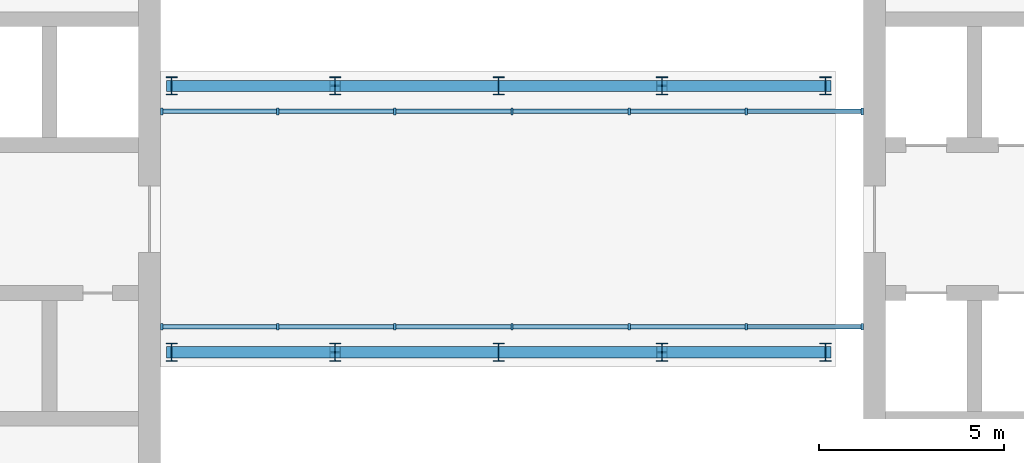
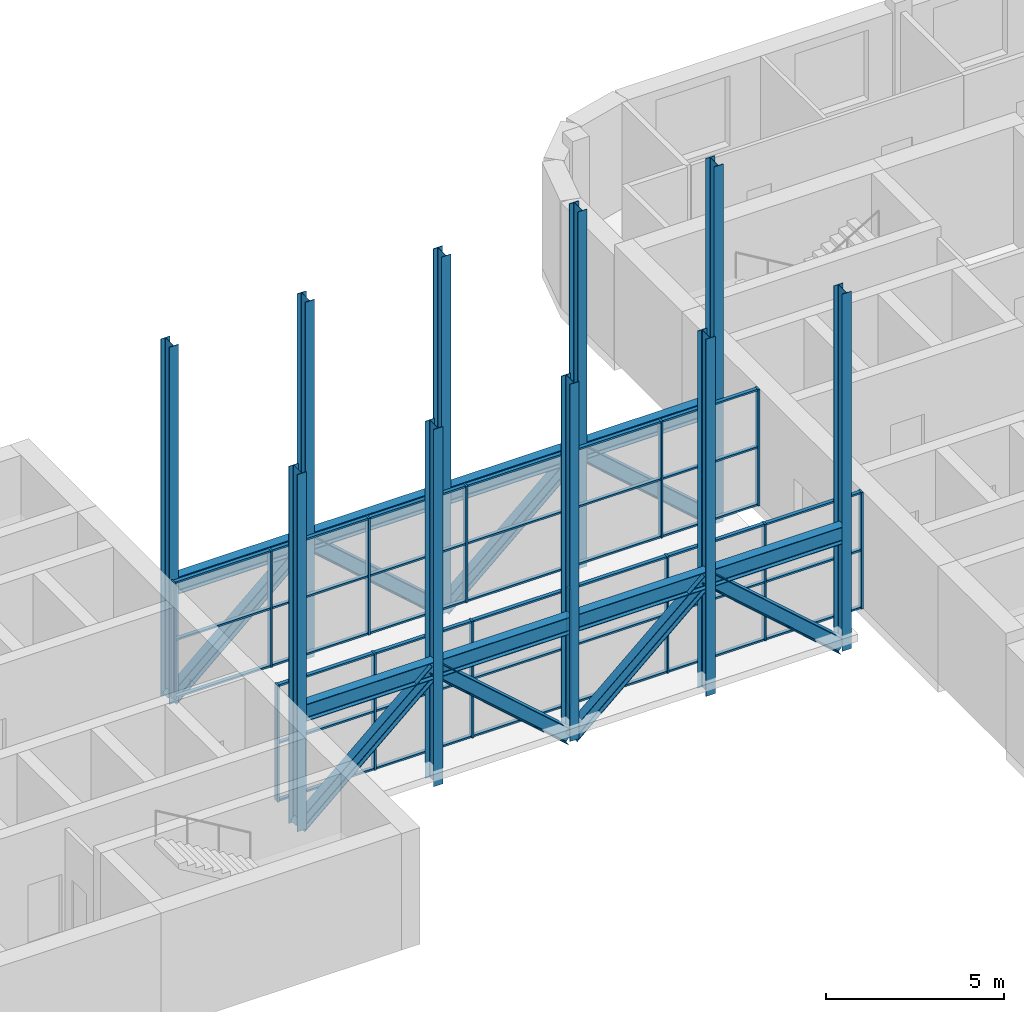
# One storey, part 2 of 11: 76 members, 2 elements without a shape of their own.
"""IFC4 building model written with IfcOpenShell, lengths in metres."""

import ifcopenshell
import ifcopenshell.guid

model = None  # the IFC model being written
_history = None  # IfcOwnerHistory: only IFC2X3 demands one
_inside = {}  # id of a spatial element -> (the spatial element, [elements in it])
_under = {}  # id of a project, library or spatial element -> (it, [spatial elements below it])
_declared = {}  # id of a project -> (the project, [libraries it declares])
_typed = {}  # id of a type object -> (the type object, [elements of that type])
_made_of = {}  # id of a material, layer set ... -> (it, [elements and type objects made of it])


def new_model(schema):
    """Start an empty IFC model of exactly this schema.

    Asked for "IFC4X3", IfcOpenShell would pick the latest addendum, in which some entities
    have other attributes; the version numbers below select the first issue.
    IFC2X3 requires an IfcOwnerHistory on every rooted entity: one is made here for all.
    """
    global model, _history
    if schema == "IFC4X3":
        model = ifcopenshell.file(schema_version=(4, 3, 0, 0))
    else:
        model = ifcopenshell.file(schema=schema)
    _inside.clear()
    _under.clear()
    _declared.clear()
    _typed.clear()
    _made_of.clear()
    _history = None
    if model.schema == "IFC2X3":
        org = make("IfcOrganization", Name="unknown")
        user = make(
            "IfcPersonAndOrganization",
            ThePerson=make("IfcPerson", FamilyName="unknown"),
            TheOrganization=org,
        )
        app = make(
            "IfcApplication",
            ApplicationDeveloper=org,
            Version="unknown",
            ApplicationFullName="unknown",
            ApplicationIdentifier="unknown",
        )
        _history = make(
            "IfcOwnerHistory",
            OwningUser=user,
            OwningApplication=app,
            ChangeAction="ADDED",
            CreationDate=0,
        )
    return model


def make(cls, **values):
    """One entity of the class cls with the attributes given. An attribute that is None is left unset."""
    return model.create_entity(
        cls, **{name: value for name, value in values.items() if value is not None}
    )


def rooted(cls, **values):
    """An entity with a GlobalId (a new one), such as an element, a storey or a relation."""
    return make(cls, GlobalId=ifcopenshell.guid.new(), OwnerHistory=_history, **values)


def si_unit(unit_type, name, prefix=None):
    """IfcSIUnit, for example si_unit("LENGTHUNIT", "METRE", prefix="MILLI")."""
    return make("IfcSIUnit", UnitType=unit_type, Prefix=prefix, Name=name)


def assignment(units):
    """IfcUnitAssignment: the units of a project."""
    return None if units is None else make("IfcUnitAssignment", Units=units)


def point(xyz):
    """IfcCartesianPoint."""
    return None if xyz is None else make("IfcCartesianPoint", Coordinates=xyz)


def direction(xyz):
    """IfcDirection."""
    return None if xyz is None else make("IfcDirection", DirectionRatios=xyz)


def frame(location, z_axis=None, x_axis=None):
    """IfcAxis2Placement3D, a coordinate frame: its origin and axes. An axis left out is left unset."""
    return make(
        "IfcAxis2Placement3D",
        Location=point(location),
        Axis=direction(z_axis),
        RefDirection=direction(x_axis),
    )


def frame_2d(location, x_axis=None):
    """IfcAxis2Placement2D, a coordinate frame in the plane: its origin and x axis."""
    return make(
        "IfcAxis2Placement2D", Location=point(location), RefDirection=direction(x_axis)
    )


def origin():
    """The frame at (0, 0, 0) with its axes left unset."""
    return frame((0.0, 0.0, 0.0))


def origin_2d():
    """The frame at (0, 0) in the plane with its x axis left unset."""
    return frame_2d((0.0, 0.0))


def place(relative_to, where):
    """IfcLocalPlacement: puts the frame where relative to a parent placement (None: the world)."""
    return make(
        "IfcLocalPlacement", PlacementRelTo=relative_to, RelativePlacement=where
    )


def context(
    kind, dimensions, precision=None, world=None, true_north=None, identifier=None
):
    """IfcGeometricRepresentationContext, for example the 3D "Model" context."""
    return make(
        "IfcGeometricRepresentationContext",
        ContextIdentifier=identifier,
        ContextType=kind,
        CoordinateSpaceDimension=dimensions,
        Precision=precision,
        WorldCoordinateSystem=world,
        TrueNorth=true_north,
    )


def subcontext(parent, identifier, kind, view, scale=None):
    """IfcGeometricRepresentationSubContext, for example "Body" below "Model"."""
    return make(
        "IfcGeometricRepresentationSubContext",
        ContextIdentifier=identifier,
        ContextType=kind,
        ParentContext=parent,
        TargetScale=scale,
        TargetView=view,
    )


def project(units=None, contexts=None):
    """IfcProject with its units and contexts."""
    return rooted(
        "IfcProject",
        Name="project",
        RepresentationContexts=contexts,
        UnitsInContext=assignment(units),
    )


def spatial(cls, under=None, at=None, **own):
    """A site, building, storey or space (cls), placed at a placement, below another one or the project."""
    s = rooted(cls, ObjectPlacement=at, **own)
    if under is not None:
        _under.setdefault(under.id(), (under, []))[1].append(s)
    return s


def profile(cls, at=None, kind="AREA", **sizes):
    """A parametric profile (cls). Its sizes go by their IFC names, for example OverallWidth=200.0."""
    return make(cls, ProfileType=kind, Position=at, **sizes)


def rectangle(**sizes):
    """IfcRectangleProfileDef."""
    return profile("IfcRectangleProfileDef", **sizes)


def i_section(**sizes):
    """IfcIShapeProfileDef."""
    return profile("IfcIShapeProfileDef", **sizes)


def extrude(swept, where, along, depth):
    """IfcExtrudedAreaSolid: the profile swept, set in the frame where, extruded along a direction by depth."""
    return make(
        "IfcExtrudedAreaSolid",
        SweptArea=swept,
        Position=where,
        ExtrudedDirection=direction(along),
        Depth=depth,
    )


def shape(context_of_items, identifier, shape_type, items):
    """IfcShapeRepresentation: the items that make up one representation, for example the "Body"."""
    return make(
        "IfcShapeRepresentation",
        ContextOfItems=context_of_items,
        RepresentationIdentifier=identifier,
        RepresentationType=shape_type,
        Items=items,
    )


def material(Name=None, Category=None):
    """IfcMaterial."""
    return make("IfcMaterial", Name=Name, Category=Category)


def material_profile(
    of_material, cross_section, Name=None, Category=None, Priority=None
):
    """IfcMaterialProfile: a cross section and its material."""
    return make(
        "IfcMaterialProfile",
        Name=Name,
        Material=of_material,
        Profile=cross_section,
        Priority=Priority,
        Category=Category,
    )


def profile_set(profiles, Name=None, composite=None):
    """IfcMaterialProfileSet."""
    return make(
        "IfcMaterialProfileSet",
        Name=Name,
        MaterialProfiles=profiles,
        CompositeProfile=composite,
    )


def made_of(thing, what):
    """Note that an element or type object is made of a material, layer set ...; save() writes the relation."""
    if what is not None:
        _made_of.setdefault(what.id(), (what, []))[1].append(thing)
    return thing


def type_object(cls, material=None, **own):
    """A type object (cls), such as IfcWallType, which elements share."""
    return made_of(rooted(cls, **own), material)


def element(
    cls,
    number,
    at=None,
    inside=None,
    cuts=None,
    type_object=None,
    material=None,
    context=None,
    identifier="Body",
    shape_type=None,
    held_by="IfcProductDefinitionShape",
    body=None,
    shapes=None,
    **own,
):
    """One element of the class cls, such as IfcWall. Its Tag is "e" and its number.

    at: its placement. inside: the storey or other place that contains it. cuts: it is an
    opening in that element (IfcRelVoidsElement). A single representation is given by context,
    identifier, shape_type and body (its items); several are given by shapes. held_by: the class
    of the entity that holds the representations. save() writes the other relations.
    """
    e = rooted(cls, Tag="e%d" % number, ObjectPlacement=at, **own)
    if body is not None:
        shapes = [shape(context, identifier, shape_type, body)]
    if shapes is not None:
        e.Representation = make(held_by, Representations=shapes)
    if inside is not None:
        _inside.setdefault(inside.id(), (inside, []))[1].append(e)
    if cuts is not None:
        rooted(
            "IfcRelVoidsElement", RelatingBuildingElement=cuts, RelatedOpeningElement=e
        )
    if type_object is not None:
        _typed.setdefault(type_object.id(), (type_object, []))[1].append(e)
    return made_of(e, material)


def aggregate(whole, parts):
    """IfcRelAggregates: a whole, such as a stair, and the parts it consists of."""
    return rooted("IfcRelAggregates", RelatingObject=whole, RelatedObjects=parts)


def save(model, path):
    """Write the relations noted so far, then the file.

    IfcRelAggregates (storeys below a building ...), IfcRelContainedInSpatialStructure (elements
    in a storey), IfcRelDefinesByType, IfcRelAssociatesMaterial and IfcRelDeclares: one each for
    every whole, place, type object, material and project.
    """
    for whole, parts in _under.values():
        aggregate(whole, parts)
    for where, things in _inside.values():
        rooted(
            "IfcRelContainedInSpatialStructure",
            RelatedElements=things,
            RelatingStructure=where,
        )
    for kind, things in _typed.values():
        rooted("IfcRelDefinesByType", RelatedObjects=things, RelatingType=kind)
    for what, things in _made_of.values():
        rooted("IfcRelAssociatesMaterial", RelatedObjects=things, RelatingMaterial=what)
    for by, libraries in _declared.values():
        rooted("IfcRelDeclares", RelatingContext=by, RelatedDefinitions=libraries)
    model.write(path)


model = new_model("IFC4")

# Units and contexts
model_context = context("Model", 3, precision=1e-05, world=origin(), true_north=direction((0.0, 1.0)))
body_context = subcontext(model_context, "Body", "Model", "MODEL_VIEW")
ifc_project = project(units=[si_unit("LENGTHUNIT", "METRE"), si_unit("AREAUNIT", "SQUARE_METRE"), si_unit("VOLUMEUNIT", "CUBIC_METRE"), si_unit("PLANEANGLEUNIT", "RADIAN"), si_unit("MASSUNIT", "GRAM", prefix="KILO")], contexts=[model_context])

# Site, building, storey
site_placement = place(None, origin())
site = spatial("IfcSite", under=ifc_project, at=site_placement, CompositionType="ELEMENT")
building_placement = place(site_placement, origin())
building = spatial("IfcBuilding", under=site, at=building_placement, Name="Skarvind Civic Tower", CompositionType="ELEMENT")
storey_placement = place(building_placement, frame((0.0, 0.0, 109.0)))
storey = spatial("IfcBuildingStorey", under=building, at=storey_placement, Name="L25", CompositionType="ELEMENT", Elevation=109.0)

# Members
ifc_material_1 = material(Name="Steel SM355", Category="steel")
ifc_material_profile_1 = material_profile(ifc_material_1, i_section(OverallWidth=0.300048828125, OverallDepth=0.587890625, WebThickness=0.011962890625, FlangeThickness=0.02001953125, FilletRadius=0.028076171875, at=origin_2d()), Name="H-588x300x12x20")
ifc_profile_set_1 = profile_set([ifc_material_profile_1], Name="Steel SM355")
member_type_1 = type_object("IfcMemberType", Name="Bridge chord H-588x300x12x20 SM355", PredefinedType="CHORD", material=ifc_profile_set_1)
for number, where, z_axis, x_axis, name in (
    (1, (108.300048828125, 124.39990234375, 3.35595703125), (1.0, 0.0, 0.0), (0.0, 1.0, 0.0), "Link bridge BR2 chord"),
    (2, (112.71875, 124.39990234375, 3.35595703125), (1.0, 0.0, 0.0), (0.0, 1.0, 0.0), "Link bridge BR2 chord"),
    (3, (117.137451171875, 124.39990234375, 3.35595703125), (1.0, 0.0, 0.0), (0.0, 1.0, 0.0), "Link bridge BR2 chord"),
):
    element("IfcMember", number, at=place(storey_placement, frame(where, z_axis=z_axis, x_axis=x_axis)), inside=storey, type_object=member_type_1, Name=name, PredefinedType="CHORD", context=body_context, shape_type="SweptSolid", body=[
        extrude(i_section(OverallWidth=0.300048828125, OverallDepth=0.587890625, WebThickness=0.011962890625, FlangeThickness=0.02001953125, FilletRadius=0.028076171875, at=origin_2d()), origin(), (0.0, 0.0, 1.0), 4.418701171875),
    ])
member_1_placement = place(storey_placement, frame((121.55615234375, 124.39990234375, 3.35595703125), z_axis=(1.0, 0.0, 0.0), x_axis=(0.0, 1.0, 0.0)))
element("IfcMember", 4, at=member_1_placement, inside=storey, type_object=member_type_1, Name="Link bridge BR2 chord", PredefinedType="CHORD", context=body_context, shape_type="SweptSolid", body=[
    extrude(i_section(OverallWidth=0.300048828125, OverallDepth=0.587890625, WebThickness=0.011962890625, FlangeThickness=0.02001953125, FilletRadius=0.028076171875, at=origin_2d()), origin(), (0.0, 0.0, 1.0), 4.4189453125),
])
for number, where, z_axis, x_axis, name in (
    (5, (108.300048828125, 131.60009765625, 3.35595703125), (1.0, 0.0, 0.0), (0.0, 1.0, 0.0), "Link bridge BR2 chord"),
    (6, (112.71875, 131.60009765625, 3.35595703125), (1.0, 0.0, 0.0), (0.0, 1.0, 0.0), "Link bridge BR2 chord"),
    (7, (117.137451171875, 131.60009765625, 3.35595703125), (1.0, 0.0, 0.0), (0.0, 1.0, 0.0), "Link bridge BR2 chord"),
):
    element("IfcMember", number, at=place(storey_placement, frame(where, z_axis=z_axis, x_axis=x_axis)), inside=storey, type_object=member_type_1, Name=name, PredefinedType="CHORD", context=body_context, shape_type="SweptSolid", body=[
        extrude(i_section(OverallWidth=0.300048828125, OverallDepth=0.587890625, WebThickness=0.011962890625, FlangeThickness=0.02001953125, FilletRadius=0.028076171875, at=origin_2d()), origin(), (0.0, 0.0, 1.0), 4.418701171875),
    ])
member_2_placement = place(storey_placement, frame((121.55615234375, 131.60009765625, 3.35595703125), z_axis=(1.0, 0.0, 0.0), x_axis=(0.0, 1.0, 0.0)))
element("IfcMember", 8, at=member_2_placement, inside=storey, type_object=member_type_1, Name="Link bridge BR2 chord", PredefinedType="CHORD", context=body_context, shape_type="SweptSolid", body=[
    extrude(i_section(OverallWidth=0.300048828125, OverallDepth=0.587890625, WebThickness=0.011962890625, FlangeThickness=0.02001953125, FilletRadius=0.028076171875, at=origin_2d()), origin(), (0.0, 0.0, 1.0), 4.4189453125),
])
ifc_material_profile_2 = material_profile(ifc_material_1, i_section(OverallWidth=0.300048828125, OverallDepth=0.43994140625, WebThickness=0.010986328125, FlangeThickness=0.01806640625, FilletRadius=0.02392578125, at=origin_2d()), Name="H-440x300x11x18")
ifc_profile_set_2 = profile_set([ifc_material_profile_2], Name="Steel SM355")
member_type_2 = type_object("IfcMemberType", Name="Bridge diagonal H-440x300x11x18 SM355", PredefinedType="BRACE", material=ifc_profile_set_2)
for number, where, z_axis, x_axis, name in (
    (9, (108.300048828125, 124.39990234375, -0.5439453125), (0.749749599112, 0.0, 0.661721647395), (0.0, 1.0, 0.0), "Link bridge BR2 diagonal"),
    (10, (112.71875, 124.39990234375, 3.35595703125), (0.749749599112, 0.0, -0.661721647395), (0.0, 1.0, 0.0), "Link bridge BR2 diagonal"),
    (11, (117.137451171875, 124.39990234375, -0.5439453125), (0.749749599112, 0.0, 0.661721647395), (0.0, 1.0, 0.0), "Link bridge BR2 diagonal"),
):
    element("IfcMember", number, at=place(storey_placement, frame(where, z_axis=z_axis, x_axis=x_axis)), inside=storey, type_object=member_type_2, Name=name, PredefinedType="BRACE", context=body_context, shape_type="SweptSolid", body=[
        extrude(i_section(OverallWidth=0.300048828125, OverallDepth=0.43994140625, WebThickness=0.010986328125, FlangeThickness=0.01806640625, FilletRadius=0.02392578125, at=origin_2d()), origin(), (0.0, 0.0, 1.0), 5.8935546875),
    ])
member_3_placement = place(storey_placement, frame((121.55615234375, 124.39990234375, 3.35595703125), z_axis=(0.749767737225, 0.0, -0.661701095825), x_axis=(0.0, 1.0, 0.0)))
element("IfcMember", 12, at=member_3_placement, inside=storey, type_object=member_type_2, Name="Link bridge BR2 diagonal", PredefinedType="BRACE", context=body_context, shape_type="SweptSolid", body=[
    extrude(i_section(OverallWidth=0.300048828125, OverallDepth=0.43994140625, WebThickness=0.010986328125, FlangeThickness=0.01806640625, FilletRadius=0.02392578125, at=origin_2d()), origin(), (0.0, 0.0, 1.0), 5.893798828125),
])
for number, where, z_axis, x_axis, name in (
    (13, (108.300048828125, 131.60009765625, -0.5439453125), (0.749749599112, 0.0, 0.661721647395), (0.0, 1.0, 0.0), "Link bridge BR2 diagonal"),
    (14, (112.71875, 131.60009765625, 3.35595703125), (0.749749599112, 0.0, -0.661721647395), (0.0, 1.0, 0.0), "Link bridge BR2 diagonal"),
    (15, (117.137451171875, 131.60009765625, -0.5439453125), (0.749749599112, 0.0, 0.661721647395), (0.0, 1.0, 0.0), "Link bridge BR2 diagonal"),
):
    element("IfcMember", number, at=place(storey_placement, frame(where, z_axis=z_axis, x_axis=x_axis)), inside=storey, type_object=member_type_2, Name=name, PredefinedType="BRACE", context=body_context, shape_type="SweptSolid", body=[
        extrude(i_section(OverallWidth=0.300048828125, OverallDepth=0.43994140625, WebThickness=0.010986328125, FlangeThickness=0.01806640625, FilletRadius=0.02392578125, at=origin_2d()), origin(), (0.0, 0.0, 1.0), 5.8935546875),
    ])
member_4_placement = place(storey_placement, frame((121.55615234375, 131.60009765625, 3.35595703125), z_axis=(0.749767737225, 0.0, -0.661701095825), x_axis=(0.0, 1.0, 0.0)))
element("IfcMember", 16, at=member_4_placement, inside=storey, type_object=member_type_2, Name="Link bridge BR2 diagonal", PredefinedType="BRACE", context=body_context, shape_type="SweptSolid", body=[
    extrude(i_section(OverallWidth=0.300048828125, OverallDepth=0.43994140625, WebThickness=0.010986328125, FlangeThickness=0.01806640625, FilletRadius=0.02392578125, at=origin_2d()), origin(), (0.0, 0.0, 1.0), 5.893798828125),
])
ifc_material_profile_3 = material_profile(ifc_material_1, i_section(OverallWidth=0.300048828125, OverallDepth=0.488037109375, WebThickness=0.010986328125, FlangeThickness=0.01806640625, FilletRadius=0.02587890625, at=origin_2d()), Name="H-488x300x11x18")
ifc_profile_set_3 = profile_set([ifc_material_profile_3], Name="Steel SM355")
member_type_3 = type_object("IfcMemberType", Name="Bridge post H-488x300x11x18 SM355", PredefinedType="POST", material=ifc_profile_set_3)
for number, where, z_axis, x_axis, name in (
    (17, (108.300048828125, 124.39990234375, -0.5439453125), (0.0, 0.0, 1.0), (1.0, 0.0, 0.0), "Link bridge BR2 post"),
    (18, (112.71875, 124.39990234375, -0.5439453125), (0.0, 0.0, 1.0), (1.0, 0.0, 0.0), "Link bridge BR2 post"),
    (19, (117.137451171875, 124.39990234375, -0.5439453125), (0.0, 0.0, 1.0), (1.0, 0.0, 0.0), "Link bridge BR2 post"),
    (20, (121.55615234375, 124.39990234375, -0.5439453125), (0.0, 0.0, 1.0), (1.0, 0.0, 0.0), "Link bridge BR2 post"),
    (21, (125.97509765625, 124.39990234375, -0.5439453125), (0.0, 0.0, 1.0), (1.0, 0.0, 0.0), "Link bridge BR2 post"),
    (22, (108.300048828125, 131.60009765625, -0.5439453125), (0.0, 0.0, 1.0), (1.0, 0.0, 0.0), "Link bridge BR2 post"),
    (23, (112.71875, 131.60009765625, -0.5439453125), (0.0, 0.0, 1.0), (1.0, 0.0, 0.0), "Link bridge BR2 post"),
    (24, (117.137451171875, 131.60009765625, -0.5439453125), (0.0, 0.0, 1.0), (1.0, 0.0, 0.0), "Link bridge BR2 post"),
    (25, (121.55615234375, 131.60009765625, -0.5439453125), (0.0, 0.0, 1.0), (1.0, 0.0, 0.0), "Link bridge BR2 post"),
    (26, (125.97509765625, 131.60009765625, -0.5439453125), (0.0, 0.0, 1.0), (1.0, 0.0, 0.0), "Link bridge BR2 post"),
):
    element("IfcMember", number, at=place(storey_placement, frame(where, z_axis=z_axis, x_axis=x_axis)), inside=storey, type_object=member_type_3, Name=name, PredefinedType="POST", context=body_context, shape_type="SweptSolid", body=[
        extrude(i_section(OverallWidth=0.300048828125, OverallDepth=0.488037109375, WebThickness=0.010986328125, FlangeThickness=0.01806640625, FilletRadius=0.02587890625, at=origin_2d()), origin(), (0.0, 0.0, 1.0), 12.25),
    ])

# Curtain wall, members
ifc_material_2 = material(Name="Aluminium alloy 6063 and laminated glass", Category="aluminium")
curtain_wall_type = type_object("IfcCurtainWallType", Name="CW4 BRIDGE ENCLOSURE GLAZING", PredefinedType="NOTDEFINED", material=ifc_material_2)
curtain_wall_1_placement = place(storey_placement, origin())
curtain_wall_1 = element("IfcCurtainWall", 27, at=curtain_wall_1_placement, inside=storey, type_object=curtain_wall_type, Name="BRIDGE ENCLOSURE GLAZING", PredefinedType="NOTDEFINED")
ifc_material_3 = material(Name="Aluminium alloy 6063", Category="aluminium")
ifc_material_profile_4 = material_profile(ifc_material_3, rectangle(XDim=0.179931640625, YDim=0.06005859375, at=origin_2d()), Name="AL 60x180")
ifc_profile_set_4 = profile_set([ifc_material_profile_4], Name="Aluminium alloy 6063")
member_type_4 = type_object("IfcMemberType", Name="CW4 MULLION 60x180", PredefinedType="MULLION", material=ifc_profile_set_4)
member_5_placement = place(storey_placement, frame((126.969970703125, 125.090087890625, 0.0), z_axis=(0.0, 0.0, 1.0), x_axis=(0.0, -1.0, 0.0)))
member_5 = element("IfcMember", 28, at=member_5_placement, type_object=member_type_4, Name="CW4 mullion 1", PredefinedType="MULLION", context=body_context, shape_type="SweptSolid", body=[
    extrude(rectangle(XDim=0.179931640625, YDim=0.06005859375, at=origin_2d()), origin(), (0.0, 0.0, 1.0), 4.0),
])
member_6_placement = place(storey_placement, frame((123.833251953125, 125.090087890625, 0.0), z_axis=(0.0, 0.0, 1.0), x_axis=(0.0, -1.0, 0.0)))
member_6 = element("IfcMember", 29, at=member_6_placement, type_object=member_type_4, Name="CW4 mullion 2", PredefinedType="MULLION", context=body_context, shape_type="SweptSolid", body=[
    extrude(rectangle(XDim=0.179931640625, YDim=0.06005859375, at=origin_2d()), origin(), (0.0, 0.0, 1.0), 4.0),
])
member_7_placement = place(storey_placement, frame((120.666748046875, 125.090087890625, 0.0), z_axis=(0.0, 0.0, 1.0), x_axis=(0.0, -1.0, 0.0)))
member_7 = element("IfcMember", 30, at=member_7_placement, type_object=member_type_4, Name="CW4 mullion 3", PredefinedType="MULLION", context=body_context, shape_type="SweptSolid", body=[
    extrude(rectangle(XDim=0.179931640625, YDim=0.06005859375, at=origin_2d()), origin(), (0.0, 0.0, 1.0), 4.0),
])
member_8_placement = place(storey_placement, frame((117.5, 125.090087890625, 0.0), z_axis=(0.0, 0.0, 1.0), x_axis=(0.0, -1.0, 0.0)))
member_8 = element("IfcMember", 31, at=member_8_placement, type_object=member_type_4, Name="CW4 mullion 4", PredefinedType="MULLION", context=body_context, shape_type="SweptSolid", body=[
    extrude(rectangle(XDim=0.179931640625, YDim=0.06005859375, at=origin_2d()), origin(), (0.0, 0.0, 1.0), 4.0),
])
member_9_placement = place(storey_placement, frame((114.333251953125, 125.090087890625, 0.0), z_axis=(0.0, 0.0, 1.0), x_axis=(0.0, -1.0, 0.0)))
member_9 = element("IfcMember", 32, at=member_9_placement, type_object=member_type_4, Name="CW4 mullion 5", PredefinedType="MULLION", context=body_context, shape_type="SweptSolid", body=[
    extrude(rectangle(XDim=0.179931640625, YDim=0.06005859375, at=origin_2d()), origin(), (0.0, 0.0, 1.0), 4.0),
])
member_10_placement = place(storey_placement, frame((111.166748046875, 125.090087890625, 0.0), z_axis=(0.0, 0.0, 1.0), x_axis=(0.0, -1.0, 0.0)))
member_10 = element("IfcMember", 33, at=member_10_placement, type_object=member_type_4, Name="CW4 mullion 6", PredefinedType="MULLION", context=body_context, shape_type="SweptSolid", body=[
    extrude(rectangle(XDim=0.179931640625, YDim=0.06005859375, at=origin_2d()), origin(), (0.0, 0.0, 1.0), 4.0),
])
member_11_placement = place(storey_placement, frame((108.030029296875, 125.090087890625, 0.0), z_axis=(0.0, 0.0, 1.0), x_axis=(0.0, -1.0, 0.0)))
member_11 = element("IfcMember", 34, at=member_11_placement, type_object=member_type_4, Name="CW4 mullion 7", PredefinedType="MULLION", context=body_context, shape_type="SweptSolid", body=[
    extrude(rectangle(XDim=0.179931640625, YDim=0.06005859375, at=origin_2d()), origin(), (0.0, 0.0, 1.0), 4.0),
])

curtain_wall_2_placement = place(storey_placement, origin())
curtain_wall_2 = element("IfcCurtainWall", 35, at=curtain_wall_2_placement, inside=storey, type_object=curtain_wall_type, Name="BRIDGE ENCLOSURE GLAZING", PredefinedType="NOTDEFINED")
member_12_placement = place(storey_placement, frame((108.030029296875, 130.909912109375, 0.0), z_axis=(0.0, 0.0, 1.0), x_axis=(0.0, 1.0, 0.0)))
member_12 = element("IfcMember", 36, at=member_12_placement, type_object=member_type_4, Name="CW4 mullion 1", PredefinedType="MULLION", context=body_context, shape_type="SweptSolid", body=[
    extrude(rectangle(XDim=0.179931640625, YDim=0.06005859375, at=origin_2d()), origin(), (0.0, 0.0, 1.0), 4.0),
])
member_13_placement = place(storey_placement, frame((111.166748046875, 130.909912109375, 0.0), z_axis=(0.0, 0.0, 1.0), x_axis=(0.0, 1.0, 0.0)))
member_13 = element("IfcMember", 37, at=member_13_placement, type_object=member_type_4, Name="CW4 mullion 2", PredefinedType="MULLION", context=body_context, shape_type="SweptSolid", body=[
    extrude(rectangle(XDim=0.179931640625, YDim=0.06005859375, at=origin_2d()), origin(), (0.0, 0.0, 1.0), 4.0),
])
member_14_placement = place(storey_placement, frame((114.333251953125, 130.909912109375, 0.0), z_axis=(0.0, 0.0, 1.0), x_axis=(0.0, 1.0, 0.0)))
member_14 = element("IfcMember", 38, at=member_14_placement, type_object=member_type_4, Name="CW4 mullion 3", PredefinedType="MULLION", context=body_context, shape_type="SweptSolid", body=[
    extrude(rectangle(XDim=0.179931640625, YDim=0.06005859375, at=origin_2d()), origin(), (0.0, 0.0, 1.0), 4.0),
])
member_15_placement = place(storey_placement, frame((117.5, 130.909912109375, 0.0), z_axis=(0.0, 0.0, 1.0), x_axis=(0.0, 1.0, 0.0)))
member_15 = element("IfcMember", 39, at=member_15_placement, type_object=member_type_4, Name="CW4 mullion 4", PredefinedType="MULLION", context=body_context, shape_type="SweptSolid", body=[
    extrude(rectangle(XDim=0.179931640625, YDim=0.06005859375, at=origin_2d()), origin(), (0.0, 0.0, 1.0), 4.0),
])
member_16_placement = place(storey_placement, frame((120.666748046875, 130.909912109375, 0.0), z_axis=(0.0, 0.0, 1.0), x_axis=(0.0, 1.0, 0.0)))
member_16 = element("IfcMember", 40, at=member_16_placement, type_object=member_type_4, Name="CW4 mullion 5", PredefinedType="MULLION", context=body_context, shape_type="SweptSolid", body=[
    extrude(rectangle(XDim=0.179931640625, YDim=0.06005859375, at=origin_2d()), origin(), (0.0, 0.0, 1.0), 4.0),
])
member_17_placement = place(storey_placement, frame((123.833251953125, 130.909912109375, 0.0), z_axis=(0.0, 0.0, 1.0), x_axis=(0.0, 1.0, 0.0)))
member_17 = element("IfcMember", 41, at=member_17_placement, type_object=member_type_4, Name="CW4 mullion 6", PredefinedType="MULLION", context=body_context, shape_type="SweptSolid", body=[
    extrude(rectangle(XDim=0.179931640625, YDim=0.06005859375, at=origin_2d()), origin(), (0.0, 0.0, 1.0), 4.0),
])
member_18_placement = place(storey_placement, frame((126.969970703125, 130.909912109375, 0.0), z_axis=(0.0, 0.0, 1.0), x_axis=(0.0, 1.0, 0.0)))
member_18 = element("IfcMember", 42, at=member_18_placement, type_object=member_type_4, Name="CW4 mullion 7", PredefinedType="MULLION", context=body_context, shape_type="SweptSolid", body=[
    extrude(rectangle(XDim=0.179931640625, YDim=0.06005859375, at=origin_2d()), origin(), (0.0, 0.0, 1.0), 4.0),
])

# Member
ifc_material_profile_5 = material_profile(ifc_material_3, rectangle(XDim=0.1201171875, YDim=0.06005859375, at=origin_2d()), Name="AL 60x120")
ifc_profile_set_5 = profile_set([ifc_material_profile_5], Name="Aluminium alloy 6063")
member_type_5 = type_object("IfcMemberType", Name="CW4 TRANSOM 60x120", PredefinedType="USERDEFINED", material=ifc_profile_set_5)
member_19_placement = place(storey_placement, frame((126.93994140625, 125.090087890625, 0.030029296875), z_axis=(-1.0, 0.0, 0.0), x_axis=(0.0, -1.0, 0.0)))
member_19 = element("IfcMember", 43, at=member_19_placement, type_object=member_type_5, Name="CW4 transom 1.1", ObjectType="TRANSOM", PredefinedType="USERDEFINED", context=body_context, shape_type="SweptSolid", body=[
    extrude(rectangle(XDim=0.1201171875, YDim=0.06005859375, at=origin_2d()), origin(), (0.0, 0.0, 1.0), 3.07666015625),
])

member_20_placement = place(storey_placement, frame((126.93994140625, 125.090087890625, 2.0), z_axis=(-1.0, 0.0, 0.0), x_axis=(0.0, -1.0, 0.0)))
member_20 = element("IfcMember", 44, at=member_20_placement, type_object=member_type_5, Name="CW4 transom 1.2", ObjectType="TRANSOM", PredefinedType="USERDEFINED", context=body_context, shape_type="SweptSolid", body=[
    extrude(rectangle(XDim=0.1201171875, YDim=0.06005859375, at=origin_2d()), origin(), (0.0, 0.0, 1.0), 3.07666015625),
])

member_21_placement = place(storey_placement, frame((126.93994140625, 125.090087890625, 3.969970703125), z_axis=(-1.0, 0.0, 0.0), x_axis=(0.0, -1.0, 0.0)))
member_21 = element("IfcMember", 45, at=member_21_placement, type_object=member_type_5, Name="CW4 transom 1.3", ObjectType="TRANSOM", PredefinedType="USERDEFINED", context=body_context, shape_type="SweptSolid", body=[
    extrude(rectangle(XDim=0.1201171875, YDim=0.06005859375, at=origin_2d()), origin(), (0.0, 0.0, 1.0), 3.07666015625),
])

member_22_placement = place(storey_placement, frame((123.80322265625, 125.090087890625, 0.030029296875), z_axis=(-1.0, 0.0, 0.0), x_axis=(0.0, -1.0, 0.0)))
member_22 = element("IfcMember", 46, at=member_22_placement, type_object=member_type_5, Name="CW4 transom 2.1", ObjectType="TRANSOM", PredefinedType="USERDEFINED", context=body_context, shape_type="SweptSolid", body=[
    extrude(rectangle(XDim=0.1201171875, YDim=0.06005859375, at=origin_2d()), origin(), (0.0, 0.0, 1.0), 3.1064453125),
])

member_23_placement = place(storey_placement, frame((123.80322265625, 125.090087890625, 2.0), z_axis=(-1.0, 0.0, 0.0), x_axis=(0.0, -1.0, 0.0)))
member_23 = element("IfcMember", 47, at=member_23_placement, type_object=member_type_5, Name="CW4 transom 2.2", ObjectType="TRANSOM", PredefinedType="USERDEFINED", context=body_context, shape_type="SweptSolid", body=[
    extrude(rectangle(XDim=0.1201171875, YDim=0.06005859375, at=origin_2d()), origin(), (0.0, 0.0, 1.0), 3.1064453125),
])

member_24_placement = place(storey_placement, frame((123.80322265625, 125.090087890625, 3.969970703125), z_axis=(-1.0, 0.0, 0.0), x_axis=(0.0, -1.0, 0.0)))
member_24 = element("IfcMember", 48, at=member_24_placement, type_object=member_type_5, Name="CW4 transom 2.3", ObjectType="TRANSOM", PredefinedType="USERDEFINED", context=body_context, shape_type="SweptSolid", body=[
    extrude(rectangle(XDim=0.1201171875, YDim=0.06005859375, at=origin_2d()), origin(), (0.0, 0.0, 1.0), 3.1064453125),
])

member_25_placement = place(storey_placement, frame((120.63671875, 125.090087890625, 0.030029296875), z_axis=(-1.0, 0.0, 0.0), x_axis=(0.0, -1.0, 0.0)))
member_25 = element("IfcMember", 49, at=member_25_placement, type_object=member_type_5, Name="CW4 transom 3.1", ObjectType="TRANSOM", PredefinedType="USERDEFINED", context=body_context, shape_type="SweptSolid", body=[
    extrude(rectangle(XDim=0.1201171875, YDim=0.06005859375, at=origin_2d()), origin(), (0.0, 0.0, 1.0), 3.106689453125),
])

member_26_placement = place(storey_placement, frame((120.63671875, 125.090087890625, 2.0), z_axis=(-1.0, 0.0, 0.0), x_axis=(0.0, -1.0, 0.0)))
member_26 = element("IfcMember", 50, at=member_26_placement, type_object=member_type_5, Name="CW4 transom 3.2", ObjectType="TRANSOM", PredefinedType="USERDEFINED", context=body_context, shape_type="SweptSolid", body=[
    extrude(rectangle(XDim=0.1201171875, YDim=0.06005859375, at=origin_2d()), origin(), (0.0, 0.0, 1.0), 3.106689453125),
])

member_27_placement = place(storey_placement, frame((120.63671875, 125.090087890625, 3.969970703125), z_axis=(-1.0, 0.0, 0.0), x_axis=(0.0, -1.0, 0.0)))
member_27 = element("IfcMember", 51, at=member_27_placement, type_object=member_type_5, Name="CW4 transom 3.3", ObjectType="TRANSOM", PredefinedType="USERDEFINED", context=body_context, shape_type="SweptSolid", body=[
    extrude(rectangle(XDim=0.1201171875, YDim=0.06005859375, at=origin_2d()), origin(), (0.0, 0.0, 1.0), 3.106689453125),
])

member_28_placement = place(storey_placement, frame((117.469970703125, 125.090087890625, 0.030029296875), z_axis=(-1.0, 0.0, 0.0), x_axis=(0.0, -1.0, 0.0)))
member_28 = element("IfcMember", 52, at=member_28_placement, type_object=member_type_5, Name="CW4 transom 4.1", ObjectType="TRANSOM", PredefinedType="USERDEFINED", context=body_context, shape_type="SweptSolid", body=[
    extrude(rectangle(XDim=0.1201171875, YDim=0.06005859375, at=origin_2d()), origin(), (0.0, 0.0, 1.0), 3.106689453125),
])

member_29_placement = place(storey_placement, frame((117.469970703125, 125.090087890625, 2.0), z_axis=(-1.0, 0.0, 0.0), x_axis=(0.0, -1.0, 0.0)))
member_29 = element("IfcMember", 53, at=member_29_placement, type_object=member_type_5, Name="CW4 transom 4.2", ObjectType="TRANSOM", PredefinedType="USERDEFINED", context=body_context, shape_type="SweptSolid", body=[
    extrude(rectangle(XDim=0.1201171875, YDim=0.06005859375, at=origin_2d()), origin(), (0.0, 0.0, 1.0), 3.106689453125),
])

member_30_placement = place(storey_placement, frame((117.469970703125, 125.090087890625, 3.969970703125), z_axis=(-1.0, 0.0, 0.0), x_axis=(0.0, -1.0, 0.0)))
member_30 = element("IfcMember", 54, at=member_30_placement, type_object=member_type_5, Name="CW4 transom 4.3", ObjectType="TRANSOM", PredefinedType="USERDEFINED", context=body_context, shape_type="SweptSolid", body=[
    extrude(rectangle(XDim=0.1201171875, YDim=0.06005859375, at=origin_2d()), origin(), (0.0, 0.0, 1.0), 3.106689453125),
])

member_31_placement = place(storey_placement, frame((114.30322265625, 125.090087890625, 0.030029296875), z_axis=(-1.0, 0.0, 0.0), x_axis=(0.0, -1.0, 0.0)))
member_31 = element("IfcMember", 55, at=member_31_placement, type_object=member_type_5, Name="CW4 transom 5.1", ObjectType="TRANSOM", PredefinedType="USERDEFINED", context=body_context, shape_type="SweptSolid", body=[
    extrude(rectangle(XDim=0.1201171875, YDim=0.06005859375, at=origin_2d()), origin(), (0.0, 0.0, 1.0), 3.1064453125),
])

member_32_placement = place(storey_placement, frame((114.30322265625, 125.090087890625, 2.0), z_axis=(-1.0, 0.0, 0.0), x_axis=(0.0, -1.0, 0.0)))
member_32 = element("IfcMember", 56, at=member_32_placement, type_object=member_type_5, Name="CW4 transom 5.2", ObjectType="TRANSOM", PredefinedType="USERDEFINED", context=body_context, shape_type="SweptSolid", body=[
    extrude(rectangle(XDim=0.1201171875, YDim=0.06005859375, at=origin_2d()), origin(), (0.0, 0.0, 1.0), 3.1064453125),
])

member_33_placement = place(storey_placement, frame((114.30322265625, 125.090087890625, 3.969970703125), z_axis=(-1.0, 0.0, 0.0), x_axis=(0.0, -1.0, 0.0)))
member_33 = element("IfcMember", 57, at=member_33_placement, type_object=member_type_5, Name="CW4 transom 5.3", ObjectType="TRANSOM", PredefinedType="USERDEFINED", context=body_context, shape_type="SweptSolid", body=[
    extrude(rectangle(XDim=0.1201171875, YDim=0.06005859375, at=origin_2d()), origin(), (0.0, 0.0, 1.0), 3.1064453125),
])

member_34_placement = place(storey_placement, frame((111.13671875, 125.090087890625, 0.030029296875), z_axis=(-1.0, 0.0, 0.0), x_axis=(0.0, -1.0, 0.0)))
member_34 = element("IfcMember", 58, at=member_34_placement, type_object=member_type_5, Name="CW4 transom 6.1", ObjectType="TRANSOM", PredefinedType="USERDEFINED", context=body_context, shape_type="SweptSolid", body=[
    extrude(rectangle(XDim=0.1201171875, YDim=0.06005859375, at=origin_2d()), origin(), (0.0, 0.0, 1.0), 3.07666015625),
])

member_35_placement = place(storey_placement, frame((111.13671875, 125.090087890625, 2.0), z_axis=(-1.0, 0.0, 0.0), x_axis=(0.0, -1.0, 0.0)))
member_35 = element("IfcMember", 59, at=member_35_placement, type_object=member_type_5, Name="CW4 transom 6.2", ObjectType="TRANSOM", PredefinedType="USERDEFINED", context=body_context, shape_type="SweptSolid", body=[
    extrude(rectangle(XDim=0.1201171875, YDim=0.06005859375, at=origin_2d()), origin(), (0.0, 0.0, 1.0), 3.07666015625),
])

member_36_placement = place(storey_placement, frame((111.13671875, 125.090087890625, 3.969970703125), z_axis=(-1.0, 0.0, 0.0), x_axis=(0.0, -1.0, 0.0)))
member_36 = element("IfcMember", 60, at=member_36_placement, type_object=member_type_5, Name="CW4 transom 6.3", ObjectType="TRANSOM", PredefinedType="USERDEFINED", context=body_context, shape_type="SweptSolid", body=[
    extrude(rectangle(XDim=0.1201171875, YDim=0.06005859375, at=origin_2d()), origin(), (0.0, 0.0, 1.0), 3.07666015625),
])

aggregate(curtain_wall_1, [member_5, member_6, member_7, member_8, member_9, member_10, member_11, member_19, member_20, member_21, member_22, member_23, member_24, member_25, member_26, member_27, member_28, member_29, member_30, member_31, member_32, member_33, member_34, member_35, member_36])

member_37_placement = place(storey_placement, frame((108.06005859375, 130.909912109375, 0.030029296875), z_axis=(1.0, 0.0, 0.0), x_axis=(0.0, 1.0, 0.0)))
member_37 = element("IfcMember", 61, at=member_37_placement, type_object=member_type_5, Name="CW4 transom 1.1", ObjectType="TRANSOM", PredefinedType="USERDEFINED", context=body_context, shape_type="SweptSolid", body=[
    extrude(rectangle(XDim=0.1201171875, YDim=0.06005859375, at=origin_2d()), origin(), (0.0, 0.0, 1.0), 3.07666015625),
])

member_38_placement = place(storey_placement, frame((108.06005859375, 130.909912109375, 2.0), z_axis=(1.0, 0.0, 0.0), x_axis=(0.0, 1.0, 0.0)))
member_38 = element("IfcMember", 62, at=member_38_placement, type_object=member_type_5, Name="CW4 transom 1.2", ObjectType="TRANSOM", PredefinedType="USERDEFINED", context=body_context, shape_type="SweptSolid", body=[
    extrude(rectangle(XDim=0.1201171875, YDim=0.06005859375, at=origin_2d()), origin(), (0.0, 0.0, 1.0), 3.07666015625),
])

member_39_placement = place(storey_placement, frame((108.06005859375, 130.909912109375, 3.969970703125), z_axis=(1.0, 0.0, 0.0), x_axis=(0.0, 1.0, 0.0)))
member_39 = element("IfcMember", 63, at=member_39_placement, type_object=member_type_5, Name="CW4 transom 1.3", ObjectType="TRANSOM", PredefinedType="USERDEFINED", context=body_context, shape_type="SweptSolid", body=[
    extrude(rectangle(XDim=0.1201171875, YDim=0.06005859375, at=origin_2d()), origin(), (0.0, 0.0, 1.0), 3.07666015625),
])

member_40_placement = place(storey_placement, frame((111.19677734375, 130.909912109375, 0.030029296875), z_axis=(1.0, 0.0, 0.0), x_axis=(0.0, 1.0, 0.0)))
member_40 = element("IfcMember", 64, at=member_40_placement, type_object=member_type_5, Name="CW4 transom 2.1", ObjectType="TRANSOM", PredefinedType="USERDEFINED", context=body_context, shape_type="SweptSolid", body=[
    extrude(rectangle(XDim=0.1201171875, YDim=0.06005859375, at=origin_2d()), origin(), (0.0, 0.0, 1.0), 3.1064453125),
])

member_41_placement = place(storey_placement, frame((111.19677734375, 130.909912109375, 2.0), z_axis=(1.0, 0.0, 0.0), x_axis=(0.0, 1.0, 0.0)))
member_41 = element("IfcMember", 65, at=member_41_placement, type_object=member_type_5, Name="CW4 transom 2.2", ObjectType="TRANSOM", PredefinedType="USERDEFINED", context=body_context, shape_type="SweptSolid", body=[
    extrude(rectangle(XDim=0.1201171875, YDim=0.06005859375, at=origin_2d()), origin(), (0.0, 0.0, 1.0), 3.1064453125),
])

member_42_placement = place(storey_placement, frame((111.19677734375, 130.909912109375, 3.969970703125), z_axis=(1.0, 0.0, 0.0), x_axis=(0.0, 1.0, 0.0)))
member_42 = element("IfcMember", 66, at=member_42_placement, type_object=member_type_5, Name="CW4 transom 2.3", ObjectType="TRANSOM", PredefinedType="USERDEFINED", context=body_context, shape_type="SweptSolid", body=[
    extrude(rectangle(XDim=0.1201171875, YDim=0.06005859375, at=origin_2d()), origin(), (0.0, 0.0, 1.0), 3.1064453125),
])

member_43_placement = place(storey_placement, frame((114.36328125, 130.909912109375, 0.030029296875), z_axis=(1.0, 0.0, 0.0), x_axis=(0.0, 1.0, 0.0)))
member_43 = element("IfcMember", 67, at=member_43_placement, type_object=member_type_5, Name="CW4 transom 3.1", ObjectType="TRANSOM", PredefinedType="USERDEFINED", context=body_context, shape_type="SweptSolid", body=[
    extrude(rectangle(XDim=0.1201171875, YDim=0.06005859375, at=origin_2d()), origin(), (0.0, 0.0, 1.0), 3.106689453125),
])

member_44_placement = place(storey_placement, frame((114.36328125, 130.909912109375, 2.0), z_axis=(1.0, 0.0, 0.0), x_axis=(0.0, 1.0, 0.0)))
member_44 = element("IfcMember", 68, at=member_44_placement, type_object=member_type_5, Name="CW4 transom 3.2", ObjectType="TRANSOM", PredefinedType="USERDEFINED", context=body_context, shape_type="SweptSolid", body=[
    extrude(rectangle(XDim=0.1201171875, YDim=0.06005859375, at=origin_2d()), origin(), (0.0, 0.0, 1.0), 3.106689453125),
])

member_45_placement = place(storey_placement, frame((114.36328125, 130.909912109375, 3.969970703125), z_axis=(1.0, 0.0, 0.0), x_axis=(0.0, 1.0, 0.0)))
member_45 = element("IfcMember", 69, at=member_45_placement, type_object=member_type_5, Name="CW4 transom 3.3", ObjectType="TRANSOM", PredefinedType="USERDEFINED", context=body_context, shape_type="SweptSolid", body=[
    extrude(rectangle(XDim=0.1201171875, YDim=0.06005859375, at=origin_2d()), origin(), (0.0, 0.0, 1.0), 3.106689453125),
])

member_46_placement = place(storey_placement, frame((117.530029296875, 130.909912109375, 0.030029296875), z_axis=(1.0, 0.0, 0.0), x_axis=(0.0, 1.0, 0.0)))
member_46 = element("IfcMember", 70, at=member_46_placement, type_object=member_type_5, Name="CW4 transom 4.1", ObjectType="TRANSOM", PredefinedType="USERDEFINED", context=body_context, shape_type="SweptSolid", body=[
    extrude(rectangle(XDim=0.1201171875, YDim=0.06005859375, at=origin_2d()), origin(), (0.0, 0.0, 1.0), 3.106689453125),
])

member_47_placement = place(storey_placement, frame((117.530029296875, 130.909912109375, 2.0), z_axis=(1.0, 0.0, 0.0), x_axis=(0.0, 1.0, 0.0)))
member_47 = element("IfcMember", 71, at=member_47_placement, type_object=member_type_5, Name="CW4 transom 4.2", ObjectType="TRANSOM", PredefinedType="USERDEFINED", context=body_context, shape_type="SweptSolid", body=[
    extrude(rectangle(XDim=0.1201171875, YDim=0.06005859375, at=origin_2d()), origin(), (0.0, 0.0, 1.0), 3.106689453125),
])

member_48_placement = place(storey_placement, frame((117.530029296875, 130.909912109375, 3.969970703125), z_axis=(1.0, 0.0, 0.0), x_axis=(0.0, 1.0, 0.0)))
member_48 = element("IfcMember", 72, at=member_48_placement, type_object=member_type_5, Name="CW4 transom 4.3", ObjectType="TRANSOM", PredefinedType="USERDEFINED", context=body_context, shape_type="SweptSolid", body=[
    extrude(rectangle(XDim=0.1201171875, YDim=0.06005859375, at=origin_2d()), origin(), (0.0, 0.0, 1.0), 3.106689453125),
])

member_49_placement = place(storey_placement, frame((120.69677734375, 130.909912109375, 0.030029296875), z_axis=(1.0, 0.0, 0.0), x_axis=(0.0, 1.0, 0.0)))
member_49 = element("IfcMember", 73, at=member_49_placement, type_object=member_type_5, Name="CW4 transom 5.1", ObjectType="TRANSOM", PredefinedType="USERDEFINED", context=body_context, shape_type="SweptSolid", body=[
    extrude(rectangle(XDim=0.1201171875, YDim=0.06005859375, at=origin_2d()), origin(), (0.0, 0.0, 1.0), 3.1064453125),
])

member_50_placement = place(storey_placement, frame((120.69677734375, 130.909912109375, 2.0), z_axis=(1.0, 0.0, 0.0), x_axis=(0.0, 1.0, 0.0)))
member_50 = element("IfcMember", 74, at=member_50_placement, type_object=member_type_5, Name="CW4 transom 5.2", ObjectType="TRANSOM", PredefinedType="USERDEFINED", context=body_context, shape_type="SweptSolid", body=[
    extrude(rectangle(XDim=0.1201171875, YDim=0.06005859375, at=origin_2d()), origin(), (0.0, 0.0, 1.0), 3.1064453125),
])

member_51_placement = place(storey_placement, frame((120.69677734375, 130.909912109375, 3.969970703125), z_axis=(1.0, 0.0, 0.0), x_axis=(0.0, 1.0, 0.0)))
member_51 = element("IfcMember", 75, at=member_51_placement, type_object=member_type_5, Name="CW4 transom 5.3", ObjectType="TRANSOM", PredefinedType="USERDEFINED", context=body_context, shape_type="SweptSolid", body=[
    extrude(rectangle(XDim=0.1201171875, YDim=0.06005859375, at=origin_2d()), origin(), (0.0, 0.0, 1.0), 3.1064453125),
])

member_52_placement = place(storey_placement, frame((123.86328125, 130.909912109375, 0.030029296875), z_axis=(1.0, 0.0, 0.0), x_axis=(0.0, 1.0, 0.0)))
member_52 = element("IfcMember", 76, at=member_52_placement, type_object=member_type_5, Name="CW4 transom 6.1", ObjectType="TRANSOM", PredefinedType="USERDEFINED", context=body_context, shape_type="SweptSolid", body=[
    extrude(rectangle(XDim=0.1201171875, YDim=0.06005859375, at=origin_2d()), origin(), (0.0, 0.0, 1.0), 3.07666015625),
])

member_53_placement = place(storey_placement, frame((123.86328125, 130.909912109375, 2.0), z_axis=(1.0, 0.0, 0.0), x_axis=(0.0, 1.0, 0.0)))
member_53 = element("IfcMember", 77, at=member_53_placement, type_object=member_type_5, Name="CW4 transom 6.2", ObjectType="TRANSOM", PredefinedType="USERDEFINED", context=body_context, shape_type="SweptSolid", body=[
    extrude(rectangle(XDim=0.1201171875, YDim=0.06005859375, at=origin_2d()), origin(), (0.0, 0.0, 1.0), 3.07666015625),
])

member_54_placement = place(storey_placement, frame((123.86328125, 130.909912109375, 3.969970703125), z_axis=(1.0, 0.0, 0.0), x_axis=(0.0, 1.0, 0.0)))
member_54 = element("IfcMember", 78, at=member_54_placement, type_object=member_type_5, Name="CW4 transom 6.3", ObjectType="TRANSOM", PredefinedType="USERDEFINED", context=body_context, shape_type="SweptSolid", body=[
    extrude(rectangle(XDim=0.1201171875, YDim=0.06005859375, at=origin_2d()), origin(), (0.0, 0.0, 1.0), 3.07666015625),
])

aggregate(curtain_wall_2, [member_12, member_13, member_14, member_15, member_16, member_17, member_18, member_37, member_38, member_39, member_40, member_41, member_42, member_43, member_44, member_45, member_46, member_47, member_48, member_49, member_50, member_51, member_52, member_53, member_54])

save(model, "model.ifc")
